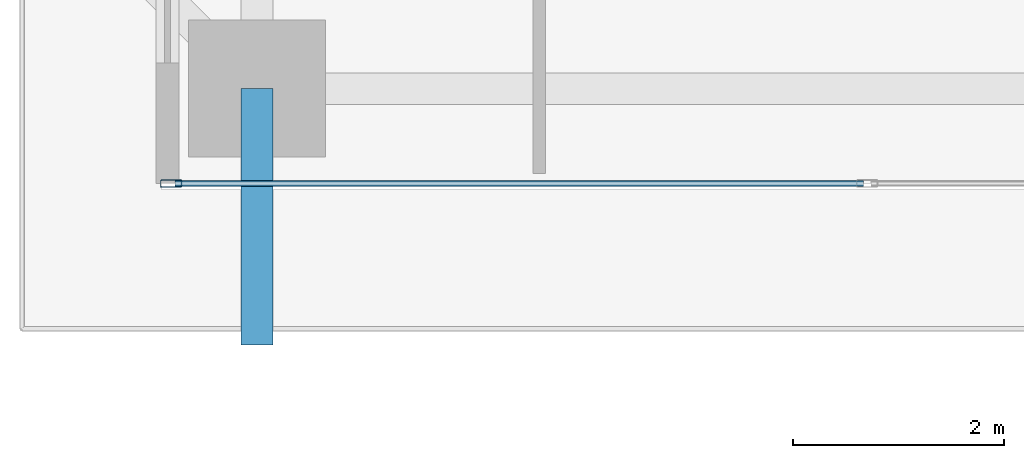
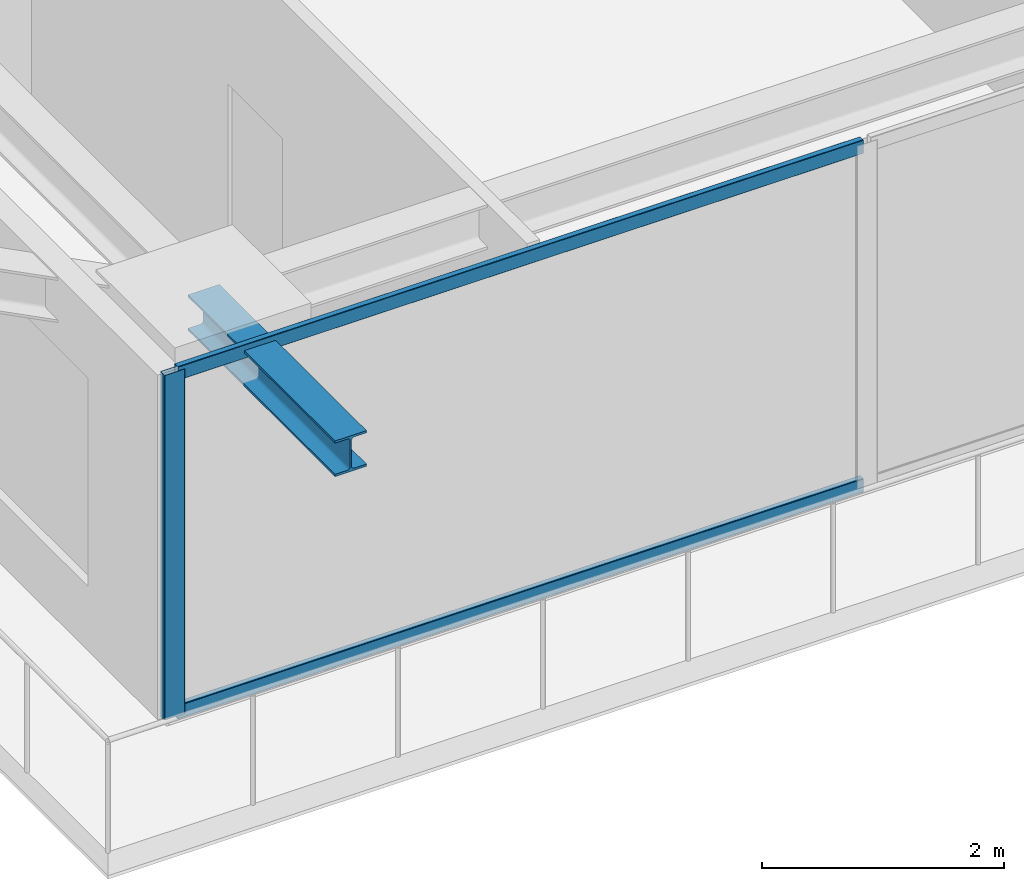
# One storey, part 2 of 38: 3 members, 1 beam, 1 element without a shape of its own.
"""IFC4 building model written with IfcOpenShell, lengths in metres."""

from ifc_helpers import new_model, si_unit, direction, frame, origin, origin_2d, place, context, subcontext, project, spatial, hollow_rectangle, i_section, extrude, source, transform, mapped, material, layer, layer_set, material_profile, profile_set, type_object, element, aggregate, save


model = new_model("IFC4")

# Units and contexts
model_context = context("Model", 3, precision=1e-05, world=origin(), true_north=direction((0.0, 1.0)))
body_context = subcontext(model_context, "Body", "Model", "MODEL_VIEW")
ifc_project = project(units=[si_unit("LENGTHUNIT", "METRE"), si_unit("AREAUNIT", "SQUARE_METRE"), si_unit("VOLUMEUNIT", "CUBIC_METRE"), si_unit("PLANEANGLEUNIT", "RADIAN"), si_unit("MASSUNIT", "GRAM", prefix="KILO")], contexts=[model_context])

# Site, building, storey
site_placement = place(None, origin())
site = spatial("IfcSite", under=ifc_project, at=site_placement, CompositionType="ELEMENT")
building_placement = place(site_placement, origin())
building = spatial("IfcBuilding", under=site, at=building_placement, Name="Serunith Strait Residences", CompositionType="ELEMENT")
storey_placement = place(building_placement, frame((0.0, 0.0, 183.89990234375)))
storey = spatial("IfcBuildingStorey", under=building, at=storey_placement, Name="L46", CompositionType="ELEMENT", Elevation=183.89990234375)

# Beam
ifc_material_1 = material(Name="Steel S355J2", Category="steel")
ifc_material_profile_1 = material_profile(ifc_material_1, i_section(OverallWidth=0.300048828125, OverallDepth=0.360107421875, WebThickness=0.012451171875, FlangeThickness=0.0224609375, FilletRadius=0.027099609375, at=origin_2d()), Name="HEB 360")
ifc_profile_set_1 = profile_set([ifc_material_profile_1], Name="Steel S355J2")
beam_type = type_object("IfcBeamType", Name="BM-HEB360", PredefinedType="BEAM", material=ifc_profile_set_1)
shared_shape_1 = source(origin(), body_context, "Body", "SweptSolid", [
    extrude(i_section(OverallWidth=0.300048828125, OverallDepth=0.360107421875, WebThickness=0.012451171875, FlangeThickness=0.0224609375, FilletRadius=0.027099609375, at=origin_2d()), origin(), (0.0, 0.0, 1.0), 2.430908203125),
])
beam_placement = place(storey_placement, frame((16.64990234375, 2.300048828125, 3.277099609375), z_axis=(0.0, -1.0, 0.0), x_axis=(1.0, 0.0, 0.0)))
element("IfcBeam", 1, at=beam_placement, inside=storey, type_object=beam_type, Name="L47 Cantilevered Balcony Rib TC-S1", PredefinedType="BEAM", context=body_context, shape_type="MappedRepresentation", body=[
    mapped(shared_shape_1, transform((0.0, 0.0, 0.0), scale=1.0)),
])

# Curtain wall, members
ifc_material_2 = material(Name="Pale-Champagne Anodised Aluminium", Category="aluminium")
ifc_layer = layer(ifc_material_2, 0.199951171875, Name="Pale-Champagne Anodised Aluminium")
ifc_layer_set = layer_set([ifc_layer], Name="Pale-Champagne Anodised Aluminium")
curtain_wall_type = type_object("IfcCurtainWallType", Name="CW-SYS2", PredefinedType="NOTDEFINED", material=ifc_layer_set)
curtain_wall_placement = place(storey_placement, origin())
curtain_wall = element("IfcCurtainWall", 2, at=curtain_wall_placement, inside=storey, type_object=curtain_wall_type, Name="L46 S Unitised Fritted Curtain Wall", PredefinedType="NOTDEFINED")
ifc_material_profile_2 = material_profile(ifc_material_2, hollow_rectangle(XDim=0.070068359375, YDim=0.199951171875, WallThickness=0.00390625, InnerFilletRadius=0.006103515625, OuterFilletRadius=0.010009765625, at=origin_2d()), Name="ALU 200x70x4")
ifc_profile_set_2 = profile_set([ifc_material_profile_2], Name="Pale-Champagne Anodised Aluminium")
member_type_1 = type_object("IfcMemberType", Name="CW-SYS2-MULL", PredefinedType="MULLION", material=ifc_profile_set_2)
shared_shape_2 = source(origin(), body_context, "Body", "SweptSolid", [
    extrude(hollow_rectangle(XDim=0.070068359375, YDim=0.199951171875, WallThickness=0.00390625, InnerFilletRadius=0.006103515625, OuterFilletRadius=0.010009765625, at=origin_2d()), origin(), (0.0, 0.0, 1.0), 3.47509765625),
])
member_1_placement = place(storey_placement, frame((15.8349609375, 1.39990234375, 0.0), z_axis=(0.0, 0.0, 1.0), x_axis=(0.0, 1.0, 0.0)))
member_1 = element("IfcMember", 3, at=member_1_placement, type_object=member_type_1, Name="CW-2 mullion 1", PredefinedType="MULLION", context=body_context, shape_type="MappedRepresentation", body=[
    mapped(shared_shape_2, transform((0.0, 0.0, 0.0), scale=1.0)),
])
ifc_material_profile_3 = material_profile(ifc_material_2, hollow_rectangle(XDim=0.06005859375, YDim=0.139892578125, WallThickness=0.00341796875, InnerFilletRadius=0.00537109375, OuterFilletRadius=0.0087890625, at=origin_2d()), Name="ALU 140x60x3.5")
ifc_profile_set_3 = profile_set([ifc_material_profile_3], Name="Pale-Champagne Anodised Aluminium")
member_type_2 = type_object("IfcMemberType", Name="CW-SYS2-TRAN", PredefinedType="USERDEFINED", material=ifc_profile_set_3)
shared_shape_3 = source(origin(), body_context, "Body", "SweptSolid", [
    extrude(hollow_rectangle(XDim=0.06005859375, YDim=0.139892578125, WallThickness=0.00341796875, InnerFilletRadius=0.00537109375, OuterFilletRadius=0.0087890625, at=origin_2d()), origin(), (0.0, 0.0, 1.0), 6.534912109375),
])
member_2_placement = place(storey_placement, frame((15.8701171875, 1.39990234375, 0.030029296875), z_axis=(1.0, 0.0, 0.0), x_axis=(0.0, 1.0, 0.0)))
member_2 = element("IfcMember", 4, at=member_2_placement, type_object=member_type_2, Name="CW-2 transom 1.1", ObjectType="TRANSOM", PredefinedType="USERDEFINED", context=body_context, shape_type="MappedRepresentation", body=[
    mapped(shared_shape_3, transform((0.0, 0.0, 0.0), scale=1.0)),
])
member_3_placement = place(storey_placement, frame((15.8701171875, 1.39990234375, 3.445068359375), z_axis=(1.0, 0.0, 0.0), x_axis=(0.0, 1.0, 0.0)))
member_3 = element("IfcMember", 5, at=member_3_placement, type_object=member_type_2, Name="CW-2 transom 1.2", ObjectType="TRANSOM", PredefinedType="USERDEFINED", context=body_context, shape_type="MappedRepresentation", body=[
    mapped(shared_shape_3, transform((0.0, 0.0, 0.0), scale=1.0)),
])
aggregate(curtain_wall, [member_1, member_2, member_3])

save(model, "model.ifc")
